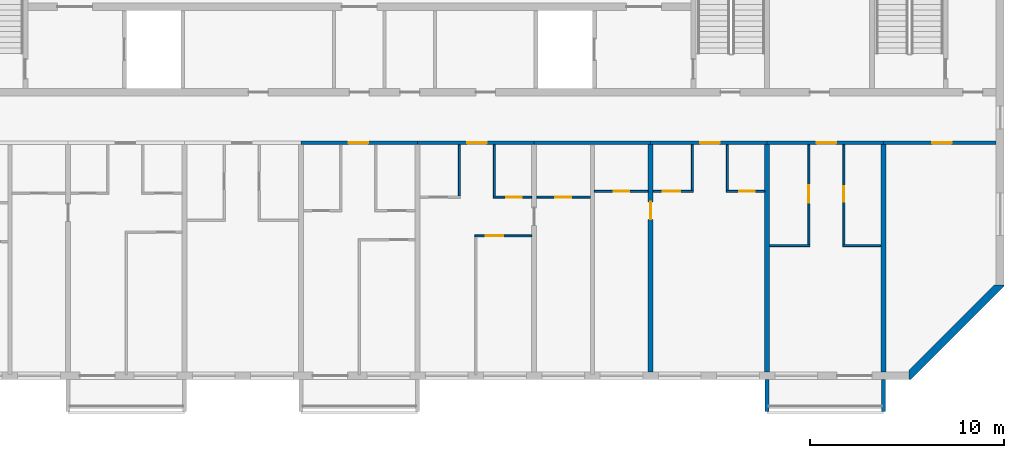
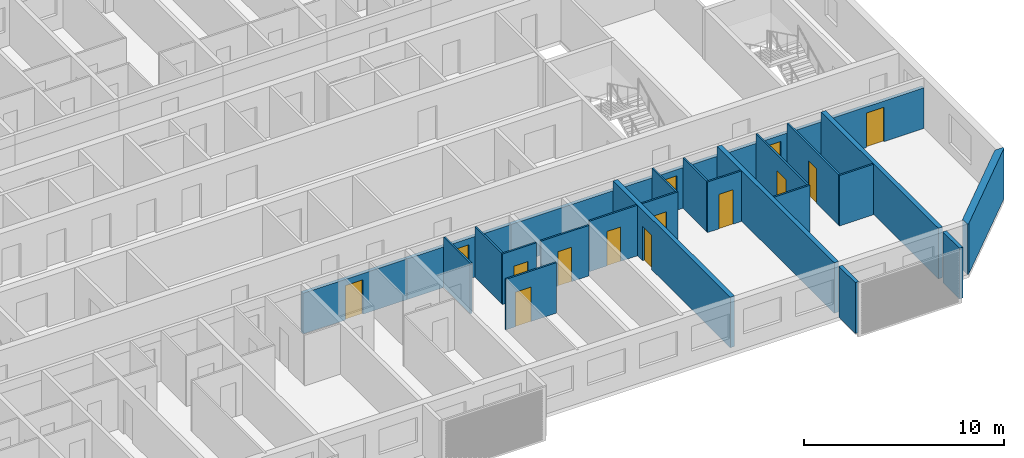
# One storey, part 5 of 27: 26 walls, 14 doors, 14 openings.
"""IFC4 building model written with IfcOpenShell, lengths in metres."""

from ifc_helpers import new_model, si_unit, direction, frame, frame_2d, origin, place, context, subcontext, project, spatial, polyline, rectangle, outline, extrude, source, transform, mapped, material, layer, layer_set, type_object, element, fill, save


model = new_model("IFC4")

# Units and contexts
model_context = context("Model", 3, precision=1e-05, world=origin(), true_north=direction((0.0, 1.0)))
body_context = subcontext(model_context, "Body", "Model", "MODEL_VIEW")
ifc_project = project(units=[si_unit("LENGTHUNIT", "METRE"), si_unit("AREAUNIT", "SQUARE_METRE"), si_unit("VOLUMEUNIT", "CUBIC_METRE"), si_unit("PLANEANGLEUNIT", "RADIAN"), si_unit("MASSUNIT", "GRAM", prefix="KILO")], contexts=[model_context])

# Site, building, storey
site_placement = place(None, origin())
site = spatial("IfcSite", under=ifc_project, at=site_placement, CompositionType="ELEMENT")
building_placement = place(site_placement, origin())
building = spatial("IfcBuilding", under=site, at=building_placement, Name="Poui Terraces", CompositionType="ELEMENT")
storey_placement = place(building_placement, frame((0.0, 0.0, 204.89990234375)))
storey = spatial("IfcBuildingStorey", under=building, at=storey_placement, Name="L57", CompositionType="ELEMENT", Elevation=204.89990234375)

# Wall, opening, door
ifc_material_1 = material(Name="Concrete 50 MPa", Category="concrete")
ifc_layer_1 = layer(ifc_material_1, 0.199951171875)
ifc_layer_set_1 = layer_set([ifc_layer_1], Name="Concrete 50 MPa")
wall_type_1 = type_object("IfcWallType", Name="CORRIDOR WALL 200 50MPa", PredefinedType="SHEAR", material=ifc_layer_set_1)
wall_1_placement = place(storey_placement, frame((48.0, 12.0, 0.0), z_axis=(0.0, 0.0, 1.0), x_axis=(1.0, 0.0, 0.0)))
wall_1 = element("IfcWall", 1, at=wall_1_placement, inside=storey, type_object=wall_type_1, Name="CORRIDOR WALL LINE B BAY 6", PredefinedType="SHEAR", context=body_context, shape_type="SweptSolid", body=[
    extrude(rectangle(XDim=6.0, YDim=0.199951171875, at=frame_2d((3.0, 0.0))), origin(), (0.0, 0.0, 1.0), 2.47998046875),
])
opening_1_placement = place(wall_1_placement, frame((2.449951171875, 0.0, 0.0)))
opening_1 = element("IfcOpeningElement", 2, at=opening_1_placement, cuts=wall_1, Name="Opening FD30S", PredefinedType="OPENING", context=body_context, shape_type="SweptSolid", body=[
    extrude(rectangle(XDim=1.0, YDim=2.10009765625, at=frame_2d((0.5, 1.050048828125))), frame((0.0, 0.10986328125, 0.0), z_axis=(0.0, -1.0, 0.0), x_axis=(1.0, 0.0, 0.0)), (0.0, 0.0, 1.0), 0.219970703125),
])
ifc_material_2 = material(Name="Steel fire door", Category="steel")
door_type_1 = type_object("IfcDoorType", Name="FLAT ENTRANCE DOOR 1000 X 2100", OperationType="NOTDEFINED", PredefinedType="DOOR", material=ifc_material_2)
door_1_placement = place(opening_1_placement, frame((1.0, 0.0, 0.0), z_axis=(0.0, 0.0, 1.0), x_axis=(-1.0, 0.0, 0.0)))
door_1 = element("IfcDoor", 3, at=door_1_placement, inside=storey, type_object=door_type_1, Name="FLAT ENTRANCE DOOR 084", OperationType="SINGLE_SWING_RIGHT", OverallHeight=2.10009765625, OverallWidth=1.0, PredefinedType="DOOR", context=body_context, shape_type="SweptSolid", body=[
    extrude(rectangle(XDim=1.0, YDim=2.10009765625, at=frame_2d((0.5, 1.050048828125))), frame((0.0, 0.02490234375, 0.0), z_axis=(0.0, -1.0, 0.0), x_axis=(1.0, 0.0, 0.0)), (0.0, 0.0, 1.0), 0.050048828125),
])
fill(opening_1, door_1)

wall_2_placement = place(storey_placement, frame((54.0, 12.0, 0.0), z_axis=(0.0, 0.0, 1.0), x_axis=(1.0, 0.0, 0.0)))
wall_2 = element("IfcWall", 4, at=wall_2_placement, inside=storey, type_object=wall_type_1, Name="CORRIDOR WALL LINE B BAY 7", PredefinedType="SHEAR", context=body_context, shape_type="SweptSolid", body=[
    extrude(rectangle(XDim=6.0, YDim=0.199951171875, at=frame_2d((3.0, 0.0))), origin(), (0.0, 0.0, 1.0), 2.47998046875),
])
opening_2_placement = place(wall_2_placement, frame((2.550048828125, 0.0, 0.0)))
opening_2 = element("IfcOpeningElement", 5, at=opening_2_placement, cuts=wall_2, Name="Opening FD30S", PredefinedType="OPENING", context=body_context, shape_type="SweptSolid", body=[
    extrude(rectangle(XDim=1.0, YDim=2.10009765625, at=frame_2d((0.5, 1.050048828125))), frame((0.0, 0.10986328125, 0.0), z_axis=(0.0, -1.0, 0.0), x_axis=(1.0, 0.0, 0.0)), (0.0, 0.0, 1.0), 0.219970703125),
])
door_2_placement = place(opening_2_placement, frame((1.0, 0.0, 0.0), z_axis=(0.0, 0.0, 1.0), x_axis=(-1.0, 0.0, 0.0)))
door_2 = element("IfcDoor", 6, at=door_2_placement, inside=storey, type_object=door_type_1, Name="FLAT ENTRANCE DOOR 089", OperationType="SINGLE_SWING_LEFT", OverallHeight=2.10009765625, OverallWidth=1.0, PredefinedType="DOOR", context=body_context, shape_type="SweptSolid", body=[
    extrude(rectangle(XDim=1.0, YDim=2.10009765625, at=frame_2d((0.5, 1.050048828125))), frame((0.0, 0.02490234375, 0.0), z_axis=(0.0, -1.0, 0.0), x_axis=(1.0, 0.0, 0.0)), (0.0, 0.0, 1.0), 0.050048828125),
])
fill(opening_2, door_2)

# Wall
wall_3_placement = place(storey_placement, frame((60.0, 12.0, 0.0), z_axis=(0.0, 0.0, 1.0), x_axis=(1.0, 0.0, 0.0)))
element("IfcWall", 7, at=wall_3_placement, inside=storey, type_object=wall_type_1, Name="CORRIDOR WALL LINE B BAY 8", PredefinedType="SHEAR", context=body_context, shape_type="SweptSolid", body=[
    extrude(rectangle(XDim=6.0, YDim=0.199951171875, at=frame_2d((3.0, 0.0))), origin(), (0.0, 0.0, 1.0), 2.47998046875),
])

# Wall, opening, door
wall_4_placement = place(storey_placement, frame((66.0, 12.0, 0.0), z_axis=(0.0, 0.0, 1.0), x_axis=(1.0, 0.0, 0.0)))
wall_4 = element("IfcWall", 8, at=wall_4_placement, inside=storey, type_object=wall_type_1, Name="CORRIDOR WALL LINE B BAY 9", PredefinedType="SHEAR", context=body_context, shape_type="SweptSolid", body=[
    extrude(rectangle(XDim=6.0, YDim=0.199951171875, at=frame_2d((3.0, 0.0))), origin(), (0.0, 0.0, 1.0), 2.47998046875),
])
opening_3_placement = place(wall_4_placement, frame((2.550048828125, 0.0, 0.0)))
opening_3 = element("IfcOpeningElement", 9, at=opening_3_placement, cuts=wall_4, Name="Opening FD30S", PredefinedType="OPENING", context=body_context, shape_type="SweptSolid", body=[
    extrude(rectangle(XDim=1.0, YDim=2.10009765625, at=frame_2d((0.5, 1.050048828125))), frame((0.0, 0.10986328125, 0.0), z_axis=(0.0, -1.0, 0.0), x_axis=(1.0, 0.0, 0.0)), (0.0, 0.0, 1.0), 0.219970703125),
])
door_3_placement = place(opening_3_placement, frame((1.0, 0.0, 0.0), z_axis=(0.0, 0.0, 1.0), x_axis=(-1.0, 0.0, 0.0)))
door_3 = element("IfcDoor", 10, at=door_3_placement, inside=storey, type_object=door_type_1, Name="FLAT ENTRANCE DOOR 096", OperationType="SINGLE_SWING_LEFT", OverallHeight=2.10009765625, OverallWidth=1.0, PredefinedType="DOOR", context=body_context, shape_type="SweptSolid", body=[
    extrude(rectangle(XDim=1.0, YDim=2.10009765625, at=frame_2d((0.5, 1.050048828125))), frame((0.0, 0.02490234375, 0.0), z_axis=(0.0, -1.0, 0.0), x_axis=(1.0, 0.0, 0.0)), (0.0, 0.0, 1.0), 0.050048828125),
])
fill(opening_3, door_3)

wall_5_placement = place(storey_placement, frame((72.0, 12.0, 0.0), z_axis=(0.0, 0.0, 1.0), x_axis=(1.0, 0.0, 0.0)))
wall_5 = element("IfcWall", 11, at=wall_5_placement, inside=storey, type_object=wall_type_1, Name="CORRIDOR WALL LINE B BAY 10", PredefinedType="SHEAR", context=body_context, shape_type="SweptSolid", body=[
    extrude(rectangle(XDim=6.0, YDim=0.199951171875, at=frame_2d((3.0, 0.0))), origin(), (0.0, 0.0, 1.0), 2.47998046875),
])
opening_4_placement = place(wall_5_placement, frame((2.550048828125, 0.0, 0.0)))
opening_4 = element("IfcOpeningElement", 12, at=opening_4_placement, cuts=wall_5, Name="Opening FD30S", PredefinedType="OPENING", context=body_context, shape_type="SweptSolid", body=[
    extrude(rectangle(XDim=1.0, YDim=2.10009765625, at=frame_2d((0.5, 1.050048828125))), frame((0.0, 0.10986328125, 0.0), z_axis=(0.0, -1.0, 0.0), x_axis=(1.0, 0.0, 0.0)), (0.0, 0.0, 1.0), 0.219970703125),
])
door_4_placement = place(opening_4_placement, frame((1.0, 0.0, 0.0), z_axis=(0.0, 0.0, 1.0), x_axis=(-1.0, 0.0, 0.0)))
door_4 = element("IfcDoor", 13, at=door_4_placement, inside=storey, type_object=door_type_1, Name="FLAT ENTRANCE DOOR 099", OperationType="SINGLE_SWING_LEFT", OverallHeight=2.10009765625, OverallWidth=1.0, PredefinedType="DOOR", context=body_context, shape_type="SweptSolid", body=[
    extrude(rectangle(XDim=1.0, YDim=2.10009765625, at=frame_2d((0.5, 1.050048828125))), frame((0.0, 0.02490234375, 0.0), z_axis=(0.0, -1.0, 0.0), x_axis=(1.0, 0.0, 0.0)), (0.0, 0.0, 1.0), 0.050048828125),
])
fill(opening_4, door_4)

wall_6_placement = place(storey_placement, frame((78.0, 12.0, 0.0), z_axis=(0.0, 0.0, 1.0), x_axis=(1.0, 0.0, 0.0)))
wall_6 = element("IfcWall", 14, at=wall_6_placement, inside=storey, type_object=wall_type_1, Name="CORRIDOR WALL LINE B BAY 11", PredefinedType="SHEAR", context=body_context, shape_type="SweptSolid", body=[
    extrude(rectangle(XDim=5.800048828125, YDim=0.199951171875, at=frame_2d((2.89990234375, 0.0))), origin(), (0.0, 0.0, 1.0), 2.47998046875),
])
opening_5_placement = place(wall_6_placement, frame((2.5, 0.0, 0.0)))
opening_5 = element("IfcOpeningElement", 15, at=opening_5_placement, cuts=wall_6, Name="Opening D100", PredefinedType="OPENING", context=body_context, shape_type="SweptSolid", body=[
    extrude(rectangle(XDim=1.0, YDim=2.10009765625, at=frame_2d((0.5, 1.050048828125))), frame((0.0, 0.10986328125, 0.0), z_axis=(0.0, -1.0, 0.0), x_axis=(1.0, 0.0, 0.0)), (0.0, 0.0, 1.0), 0.219970703125),
])
ifc_material_3 = material(Name="Solid core timber door", Category="wood")
door_type_2 = type_object("IfcDoorType", Name="ACCESSIBLE INTERNAL DOOR 1000 X 2100", OperationType="NOTDEFINED", PredefinedType="DOOR", material=ifc_material_3)
door_5_placement = place(opening_5_placement, frame((1.0, 0.0, 0.0), z_axis=(0.0, 0.0, 1.0), x_axis=(-1.0, 0.0, 0.0)))
door_5 = element("IfcDoor", 16, at=door_5_placement, inside=storey, type_object=door_type_2, Name="ACCESSIBLE INTERNAL DOOR 101", OperationType="SINGLE_SWING_RIGHT", OverallHeight=2.10009765625, OverallWidth=1.0, PredefinedType="DOOR", context=body_context, shape_type="SweptSolid", body=[
    extrude(rectangle(XDim=1.0, YDim=2.10009765625, at=frame_2d((0.5, 1.050048828125))), frame((0.0, 0.02490234375, 0.0), z_axis=(0.0, -1.0, 0.0), x_axis=(1.0, 0.0, 0.0)), (0.0, 0.0, 1.0), 0.050048828125),
])
fill(opening_5, door_5)

ifc_layer_2 = layer(ifc_material_1, 0.25)
ifc_layer_set_2 = layer_set([ifc_layer_2], Name="Concrete 50 MPa")
wall_type_2 = type_object("IfcWallType", Name="CROSS WALL 250 50MPa", PredefinedType="SHEAR", material=ifc_layer_set_2)
wall_7_placement = place(storey_placement, frame((66.0, 0.199951171875, 0.0), z_axis=(0.0, 0.0, 1.0), x_axis=(0.0, 1.0, 0.0)))
wall_7 = element("IfcWall", 17, at=wall_7_placement, inside=storey, type_object=wall_type_2, Name="CROSS WALL LINE 12 SOUTH", PredefinedType="SHEAR", context=body_context, shape_type="SweptSolid", body=[
    extrude(rectangle(XDim=11.699951171875, YDim=0.25, at=frame_2d((5.85009765625, 0.0))), origin(), (0.0, 0.0, 1.0), 3.080078125),
])
opening_6_placement = place(wall_7_placement, frame((7.85009765625, 0.0, 0.0)))
opening_6 = element("IfcOpeningElement", 18, at=opening_6_placement, cuts=wall_7, Name="Opening D90", PredefinedType="OPENING", context=body_context, shape_type="SweptSolid", body=[
    extrude(rectangle(XDim=0.89990234375, YDim=2.10009765625, at=frame_2d((0.449951171875, 1.050048828125))), frame((0.0, 0.135009765625, 0.0), z_axis=(0.0, -1.0, 0.0), x_axis=(1.0, 0.0, 0.0)), (0.0, 0.0, 1.0), 0.27001953125),
])
door_type_3 = type_object("IfcDoorType", Name="INTERNAL DOOR 900 X 2100", OperationType="NOTDEFINED", PredefinedType="DOOR", material=ifc_material_3)
door_6_placement = place(opening_6_placement, origin())
door_6 = element("IfcDoor", 19, at=door_6_placement, inside=storey, type_object=door_type_3, Name="INTERNAL DOOR 094", OperationType="SINGLE_SWING_RIGHT", OverallHeight=2.10009765625, OverallWidth=0.89990234375, PredefinedType="DOOR", context=body_context, shape_type="SweptSolid", body=[
    extrude(rectangle(XDim=0.89990234375, YDim=2.10009765625, at=frame_2d((0.449951171875, 1.050048828125))), frame((0.0, 0.02490234375, 0.0), z_axis=(0.0, -1.0, 0.0), x_axis=(1.0, 0.0, 0.0)), (0.0, 0.0, 1.0), 0.050048828125),
])
fill(opening_6, door_6)

# Walls
for number, where, z_axis, x_axis, name in (
    (20, (72.0, 0.199951171875, 0.0), (0.0, 0.0, 1.0), (0.0, 1.0, 0.0), "CROSS WALL LINE 13 SOUTH"),
    (21, (78.0, 0.199951171875, 0.0), (0.0, 0.0, 1.0), (0.0, 1.0, 0.0), "CROSS WALL LINE 14 SOUTH"),
):
    element("IfcWall", number, at=place(storey_placement, frame(where, z_axis=z_axis, x_axis=x_axis)), inside=storey, type_object=wall_type_2, Name=name, PredefinedType="SHEAR", context=body_context, shape_type="SweptSolid", body=[
        extrude(rectangle(XDim=11.699951171875, YDim=0.25, at=frame_2d((5.85009765625, 0.0))), origin(), (0.0, 0.0, 1.0), 3.080078125),
    ])
ifc_material_4 = material(Name="Plasterboard partition")
ifc_layer_3 = layer(ifc_material_4, 0.10009765625)
ifc_layer_set_3 = layer_set([ifc_layer_3], Name="Plasterboard partition")
wall_type_3 = type_object("IfcWallType", Name="FLAT PARTITION 100", PredefinedType="PARTITIONING", material=ifc_layer_set_3)
wall_8_placement = place(storey_placement, frame((72.135009765625, 6.699951171875, 0.0), z_axis=(0.0, 0.0, 1.0), x_axis=(1.0, 0.0, 0.0)))
element("IfcWall", 22, at=wall_8_placement, inside=storey, type_object=wall_type_3, Name="FLAT PARTITION 100", PredefinedType="PARTITIONING", context=body_context, shape_type="SweptSolid", body=[
    extrude(rectangle(XDim=2.06494140625, YDim=0.10009765625, at=frame_2d((1.032470703125, 0.0))), origin(), (0.0, 0.0, 1.0), 3.080078125),
])
wall_9_placement = place(storey_placement, frame((75.89990234375, 6.699951171875, 0.0), z_axis=(0.0, 0.0, 1.0), x_axis=(1.0, 0.0, 0.0)))
element("IfcWall", 23, at=wall_9_placement, inside=storey, type_object=wall_type_3, Name="FLAT PARTITION 100", PredefinedType="PARTITIONING", context=body_context, shape_type="SweptSolid", body=[
    extrude(rectangle(XDim=1.965087890625, YDim=0.10009765625, at=frame_2d((0.982421875, 0.0))), origin(), (0.0, 0.0, 1.0), 3.080078125),
])

# Wall, opening, door
wall_10_placement = place(storey_placement, frame((56.949951171875, 7.199951171875, 0.0), z_axis=(0.0, 0.0, 1.0), x_axis=(1.0, 0.0, 0.0)))
wall_10 = element("IfcWall", 24, at=wall_10_placement, inside=storey, type_object=wall_type_3, Name="FLAT PARTITION 100", PredefinedType="PARTITIONING", context=body_context, shape_type="SweptSolid", body=[
    extrude(rectangle(XDim=2.9150390625, YDim=0.10009765625, at=frame_2d((1.45751953125, 0.0))), origin(), (0.0, 0.0, 1.0), 3.080078125),
])
opening_7_placement = place(wall_10_placement, frame((0.550048828125, 0.0, 0.0)))
opening_7 = element("IfcOpeningElement", 25, at=opening_7_placement, cuts=wall_10, Name="Opening D90", PredefinedType="OPENING", context=body_context, shape_type="SweptSolid", body=[
    extrude(rectangle(XDim=0.89990234375, YDim=2.10009765625, at=frame_2d((0.449951171875, 1.050048828125))), frame((0.0, 0.06005859375, 0.0), z_axis=(0.0, -1.0, 0.0), x_axis=(1.0, 0.0, 0.0)), (0.0, 0.0, 1.0), 0.1201171875),
])
door_7_placement = place(opening_7_placement, origin())
door_7 = element("IfcDoor", 26, at=door_7_placement, inside=storey, type_object=door_type_3, Name="INTERNAL DOOR 090", OperationType="SINGLE_SWING_RIGHT", OverallHeight=2.10009765625, OverallWidth=0.89990234375, PredefinedType="DOOR", context=body_context, shape_type="SweptSolid", body=[
    extrude(rectangle(XDim=0.89990234375, YDim=2.10009765625, at=frame_2d((0.449951171875, 1.050048828125))), frame((0.0, 0.02490234375, 0.0), z_axis=(0.0, -1.0, 0.0), x_axis=(1.0, 0.0, 0.0)), (0.0, 0.0, 1.0), 0.050048828125),
])
fill(opening_7, door_7)

wall_11_placement = place(storey_placement, frame((57.89990234375, 9.199951171875, 0.0), z_axis=(0.0, 0.0, 1.0), x_axis=(1.0, 0.0, 0.0)))
wall_11 = element("IfcWall", 27, at=wall_11_placement, inside=storey, type_object=wall_type_3, Name="FLAT PARTITION 100", PredefinedType="PARTITIONING", context=body_context, shape_type="SweptSolid", body=[
    extrude(rectangle(XDim=1.965087890625, YDim=0.10009765625, at=frame_2d((0.982421875, 0.0))), origin(), (0.0, 0.0, 1.0), 3.080078125),
])
opening_8_placement = place(wall_11_placement, frame((0.675048828125, 0.0, 0.0)))
opening_8 = element("IfcOpeningElement", 28, at=opening_8_placement, cuts=wall_11, Name="Opening D80", PredefinedType="OPENING", context=body_context, shape_type="SweptSolid", body=[
    extrude(rectangle(XDim=0.800048828125, YDim=2.10009765625, at=frame_2d((0.39990234375, 1.050048828125))), frame((0.0, 0.06005859375, 0.0), z_axis=(0.0, -1.0, 0.0), x_axis=(1.0, 0.0, 0.0)), (0.0, 0.0, 1.0), 0.1201171875),
])
door_type_4 = type_object("IfcDoorType", Name="BATHROOM, LAUNDRY AND STORE DOOR 800 X 2100", OperationType="NOTDEFINED", PredefinedType="DOOR", material=ifc_material_3)
door_8_placement = place(opening_8_placement, origin())
door_8 = element("IfcDoor", 29, at=door_8_placement, inside=storey, type_object=door_type_4, Name="BATHROOM, LAUNDRY AND STORE DOOR 091", OperationType="SINGLE_SWING_LEFT", OverallHeight=2.10009765625, OverallWidth=0.800048828125, PredefinedType="DOOR", context=body_context, shape_type="SweptSolid", body=[
    extrude(rectangle(XDim=0.800048828125, YDim=2.10009765625, at=frame_2d((0.39990234375, 1.050048828125))), frame((0.0, 0.02490234375, 0.0), z_axis=(0.0, -1.0, 0.0), x_axis=(1.0, 0.0, 0.0)), (0.0, 0.0, 1.0), 0.050048828125),
])
fill(opening_8, door_8)

wall_12_placement = place(storey_placement, frame((60.135009765625, 9.199951171875, 0.0), z_axis=(0.0, 0.0, 1.0), x_axis=(1.0, 0.0, 0.0)))
wall_12 = element("IfcWall", 30, at=wall_12_placement, inside=storey, type_object=wall_type_3, Name="FLAT PARTITION 100", PredefinedType="PARTITIONING", context=body_context, shape_type="SweptSolid", body=[
    extrude(rectangle(XDim=2.764892578125, YDim=0.10009765625, at=frame_2d((1.38232421875, 0.0))), origin(), (0.0, 0.0, 1.0), 3.080078125),
])
opening_9_placement = place(wall_12_placement, frame((0.965087890625, 0.0, 0.0)))
opening_9 = element("IfcOpeningElement", 31, at=opening_9_placement, cuts=wall_12, Name="Opening D80", PredefinedType="OPENING", context=body_context, shape_type="SweptSolid", body=[
    extrude(rectangle(XDim=0.800048828125, YDim=2.10009765625, at=frame_2d((0.39990234375, 1.050048828125))), frame((0.0, 0.06005859375, 0.0), z_axis=(0.0, -1.0, 0.0), x_axis=(1.0, 0.0, 0.0)), (0.0, 0.0, 1.0), 0.1201171875),
])
door_9_placement = place(opening_9_placement, origin())
door_9 = element("IfcDoor", 32, at=door_9_placement, inside=storey, type_object=door_type_4, Name="BATHROOM, LAUNDRY AND STORE DOOR 087", OperationType="SINGLE_SWING_RIGHT", OverallHeight=2.10009765625, OverallWidth=0.800048828125, PredefinedType="DOOR", context=body_context, shape_type="SweptSolid", body=[
    extrude(rectangle(XDim=0.800048828125, YDim=2.10009765625, at=frame_2d((0.39990234375, 1.050048828125))), frame((0.0, 0.02490234375, 0.0), z_axis=(0.0, -1.0, 0.0), x_axis=(1.0, 0.0, 0.0)), (0.0, 0.0, 1.0), 0.050048828125),
])
fill(opening_9, door_9)

wall_13_placement = place(storey_placement, frame((63.10009765625, 9.5, 0.0), z_axis=(0.0, 0.0, 1.0), x_axis=(1.0, 0.0, 0.0)))
wall_13 = element("IfcWall", 33, at=wall_13_placement, inside=storey, type_object=wall_type_3, Name="FLAT PARTITION 100", PredefinedType="PARTITIONING", context=body_context, shape_type="SweptSolid", body=[
    extrude(rectangle(XDim=2.764892578125, YDim=0.10009765625, at=frame_2d((1.38232421875, 0.0))), origin(), (0.0, 0.0, 1.0), 3.080078125),
])
opening_10_placement = place(wall_13_placement, frame((1.0, 0.0, 0.0)))
opening_10 = element("IfcOpeningElement", 34, at=opening_10_placement, cuts=wall_13, Name="Opening D80", PredefinedType="OPENING", context=body_context, shape_type="SweptSolid", body=[
    extrude(rectangle(XDim=0.800048828125, YDim=2.10009765625, at=frame_2d((0.39990234375, 1.050048828125))), frame((0.0, 0.06005859375, 0.0), z_axis=(0.0, -1.0, 0.0), x_axis=(1.0, 0.0, 0.0)), (0.0, 0.0, 1.0), 0.1201171875),
])
door_10_placement = place(opening_10_placement, origin())
door_10 = element("IfcDoor", 35, at=door_10_placement, inside=storey, type_object=door_type_4, Name="BATHROOM, LAUNDRY AND STORE DOOR 093", OperationType="SINGLE_SWING_LEFT", OverallHeight=2.10009765625, OverallWidth=0.800048828125, PredefinedType="DOOR", context=body_context, shape_type="SweptSolid", body=[
    extrude(rectangle(XDim=0.800048828125, YDim=2.10009765625, at=frame_2d((0.39990234375, 1.050048828125))), frame((0.0, 0.02490234375, 0.0), z_axis=(0.0, -1.0, 0.0), x_axis=(1.0, 0.0, 0.0)), (0.0, 0.0, 1.0), 0.050048828125),
])
fill(opening_10, door_10)

wall_14_placement = place(storey_placement, frame((66.135009765625, 9.5, 0.0), z_axis=(0.0, 0.0, 1.0), x_axis=(1.0, 0.0, 0.0)))
wall_14 = element("IfcWall", 36, at=wall_14_placement, inside=storey, type_object=wall_type_3, Name="FLAT PARTITION 100", PredefinedType="PARTITIONING", context=body_context, shape_type="SweptSolid", body=[
    extrude(rectangle(XDim=2.06494140625, YDim=0.10009765625, at=frame_2d((1.032470703125, 0.0))), origin(), (0.0, 0.0, 1.0), 3.080078125),
])
opening_11_placement = place(wall_14_placement, frame((0.489990234375, 0.0, 0.0)))
opening_11 = element("IfcOpeningElement", 37, at=opening_11_placement, cuts=wall_14, Name="Opening D90", PredefinedType="OPENING", context=body_context, shape_type="SweptSolid", body=[
    extrude(rectangle(XDim=0.89990234375, YDim=2.10009765625, at=frame_2d((0.449951171875, 1.050048828125))), frame((0.0, 0.06005859375, 0.0), z_axis=(0.0, -1.0, 0.0), x_axis=(1.0, 0.0, 0.0)), (0.0, 0.0, 1.0), 0.1201171875),
])
door_11_placement = place(opening_11_placement, origin())
door_11 = element("IfcDoor", 38, at=door_11_placement, inside=storey, type_object=door_type_3, Name="INTERNAL DOOR 095", OperationType="SINGLE_SWING_RIGHT", OverallHeight=2.10009765625, OverallWidth=0.89990234375, PredefinedType="DOOR", context=body_context, shape_type="SweptSolid", body=[
    extrude(rectangle(XDim=0.89990234375, YDim=2.10009765625, at=frame_2d((0.449951171875, 1.050048828125))), frame((0.0, 0.02490234375, 0.0), z_axis=(0.0, -1.0, 0.0), x_axis=(1.0, 0.0, 0.0)), (0.0, 0.0, 1.0), 0.050048828125),
])
fill(opening_11, door_11)

wall_15_placement = place(storey_placement, frame((69.89990234375, 9.5, 0.0), z_axis=(0.0, 0.0, 1.0), x_axis=(1.0, 0.0, 0.0)))
wall_15 = element("IfcWall", 39, at=wall_15_placement, inside=storey, type_object=wall_type_3, Name="FLAT PARTITION 100", PredefinedType="PARTITIONING", context=body_context, shape_type="SweptSolid", body=[
    extrude(rectangle(XDim=1.965087890625, YDim=0.10009765625, at=frame_2d((0.982421875, 0.0))), origin(), (0.0, 0.0, 1.0), 3.080078125),
])
opening_12_placement = place(wall_15_placement, frame((0.675048828125, 0.0, 0.0)))
opening_12 = element("IfcOpeningElement", 40, at=opening_12_placement, cuts=wall_15, Name="Opening D80", PredefinedType="OPENING", context=body_context, shape_type="SweptSolid", body=[
    extrude(rectangle(XDim=0.800048828125, YDim=2.10009765625, at=frame_2d((0.39990234375, 1.050048828125))), frame((0.0, 0.06005859375, 0.0), z_axis=(0.0, -1.0, 0.0), x_axis=(1.0, 0.0, 0.0)), (0.0, 0.0, 1.0), 0.1201171875),
])
door_12_placement = place(opening_12_placement, origin())
door_12 = element("IfcDoor", 41, at=door_12_placement, inside=storey, type_object=door_type_4, Name="BATHROOM, LAUNDRY AND STORE DOOR 097", OperationType="SINGLE_SWING_LEFT", OverallHeight=2.10009765625, OverallWidth=0.800048828125, PredefinedType="DOOR", context=body_context, shape_type="SweptSolid", body=[
    extrude(rectangle(XDim=0.800048828125, YDim=2.10009765625, at=frame_2d((0.39990234375, 1.050048828125))), frame((0.0, 0.02490234375, 0.0), z_axis=(0.0, -1.0, 0.0), x_axis=(1.0, 0.0, 0.0)), (0.0, 0.0, 1.0), 0.050048828125),
])
fill(opening_12, door_12)

# Walls
for number, where, z_axis, x_axis, name in (
    (42, (56.14990234375, 9.25, 0.0), (0.0, 0.0, 1.0), (0.0, 1.0, 0.0), "FLAT PARTITION 100"),
    (43, (57.949951171875, 9.25, 0.0), (0.0, 0.0, 1.0), (0.0, 1.0, 0.0), "FLAT PARTITION 100"),
):
    element("IfcWall", number, at=place(storey_placement, frame(where, z_axis=z_axis, x_axis=x_axis)), inside=storey, type_object=wall_type_3, Name=name, PredefinedType="PARTITIONING", context=body_context, shape_type="SweptSolid", body=[
        extrude(rectangle(XDim=2.639892578125, YDim=0.10009765625, at=frame_2d((1.31982421875, 0.0))), origin(), (0.0, 0.0, 1.0), 3.080078125),
    ])
for number, where, z_axis, x_axis, name in (
    (44, (68.14990234375, 9.550048828125, 0.0), (0.0, 0.0, 1.0), (0.0, 1.0, 0.0), "FLAT PARTITION 100"),
    (45, (69.949951171875, 9.550048828125, 0.0), (0.0, 0.0, 1.0), (0.0, 1.0, 0.0), "FLAT PARTITION 100"),
):
    element("IfcWall", number, at=place(storey_placement, frame(where, z_axis=z_axis, x_axis=x_axis)), inside=storey, type_object=wall_type_3, Name=name, PredefinedType="PARTITIONING", context=body_context, shape_type="SweptSolid", body=[
        extrude(rectangle(XDim=2.33984375, YDim=0.10009765625, at=frame_2d((1.169921875, 0.0))), origin(), (0.0, 0.0, 1.0), 3.080078125),
    ])

# Wall, opening, door
wall_16_placement = place(storey_placement, frame((74.14990234375, 6.75, 0.0), z_axis=(0.0, 0.0, 1.0), x_axis=(0.0, 1.0, 0.0)))
wall_16 = element("IfcWall", 46, at=wall_16_placement, inside=storey, type_object=wall_type_3, Name="FLAT PARTITION 100", PredefinedType="PARTITIONING", context=body_context, shape_type="SweptSolid", body=[
    extrude(rectangle(XDim=5.139892578125, YDim=0.10009765625, at=frame_2d((2.56982421875, 0.0))), origin(), (0.0, 0.0, 1.0), 3.080078125),
])
opening_13_placement = place(wall_16_placement, frame((2.14990234375, 0.0, 0.0)))
opening_13 = element("IfcOpeningElement", 47, at=opening_13_placement, cuts=wall_16, Name="Opening D90", PredefinedType="OPENING", context=body_context, shape_type="SweptSolid", body=[
    extrude(rectangle(XDim=0.89990234375, YDim=2.10009765625, at=frame_2d((0.449951171875, 1.050048828125))), frame((0.0, 0.06005859375, 0.0), z_axis=(0.0, -1.0, 0.0), x_axis=(1.0, 0.0, 0.0)), (0.0, 0.0, 1.0), 0.1201171875),
])
door_13_placement = place(opening_13_placement, origin())
door_13 = element("IfcDoor", 48, at=door_13_placement, inside=storey, type_object=door_type_3, Name="INTERNAL DOOR 098", OperationType="SINGLE_SWING_LEFT", OverallHeight=2.10009765625, OverallWidth=0.89990234375, PredefinedType="DOOR", context=body_context, shape_type="SweptSolid", body=[
    extrude(rectangle(XDim=0.89990234375, YDim=2.10009765625, at=frame_2d((0.449951171875, 1.050048828125))), frame((0.0, 0.02490234375, 0.0), z_axis=(0.0, -1.0, 0.0), x_axis=(1.0, 0.0, 0.0)), (0.0, 0.0, 1.0), 0.050048828125),
])
fill(opening_13, door_13)

wall_17_placement = place(storey_placement, frame((75.949951171875, 6.75, 0.0), z_axis=(0.0, 0.0, 1.0), x_axis=(0.0, 1.0, 0.0)))
wall_17 = element("IfcWall", 49, at=wall_17_placement, inside=storey, type_object=wall_type_3, Name="FLAT PARTITION 100", PredefinedType="PARTITIONING", context=body_context, shape_type="SweptSolid", body=[
    extrude(rectangle(XDim=5.139892578125, YDim=0.10009765625, at=frame_2d((2.56982421875, 0.0))), origin(), (0.0, 0.0, 1.0), 3.080078125),
])
opening_14_placement = place(wall_17_placement, frame((2.199951171875, 0.0, 0.0)))
opening_14 = element("IfcOpeningElement", 50, at=opening_14_placement, cuts=wall_17, Name="Opening D80", PredefinedType="OPENING", context=body_context, shape_type="SweptSolid", body=[
    extrude(rectangle(XDim=0.800048828125, YDim=2.10009765625, at=frame_2d((0.39990234375, 1.050048828125))), frame((0.0, 0.06005859375, 0.0), z_axis=(0.0, -1.0, 0.0), x_axis=(1.0, 0.0, 0.0)), (0.0, 0.0, 1.0), 0.1201171875),
])
door_14_placement = place(opening_14_placement, frame((0.800048828125, 0.0, 0.0), z_axis=(0.0, 0.0, 1.0), x_axis=(-1.0, 0.0, 0.0)))
door_14 = element("IfcDoor", 51, at=door_14_placement, inside=storey, type_object=door_type_4, Name="BATHROOM, LAUNDRY AND STORE DOOR 100", OperationType="SINGLE_SWING_LEFT", OverallHeight=2.10009765625, OverallWidth=0.800048828125, PredefinedType="DOOR", context=body_context, shape_type="SweptSolid", body=[
    extrude(rectangle(XDim=0.800048828125, YDim=2.10009765625, at=frame_2d((0.39990234375, 1.050048828125))), frame((0.0, 0.02490234375, 0.0), z_axis=(0.0, -1.0, 0.0), x_axis=(1.0, 0.0, 0.0)), (0.0, 0.0, 1.0), 0.050048828125),
])
fill(opening_14, door_14)

# Walls
ifc_material_5 = material(Name="Precast concrete 40 MPa", Category="concrete")
ifc_layer_4 = layer(ifc_material_5, 0.39990234375)
ifc_layer_set_4 = layer_set([ifc_layer_4], Name="Precast concrete 40 MPa")
wall_type_4 = type_object("IfcWallType", Name="TERRACOTTA CLAD CHAMFER WALL 400", PredefinedType="STANDARD", material=ifc_layer_set_4)
wall_18_placement = place(storey_placement, origin())
element("IfcWall", 52, at=wall_18_placement, inside=storey, type_object=wall_type_4, Name="CHAMFER WALL CH01", PredefinedType="STANDARD", context=body_context, shape_type="SweptSolid", body=[
    extrude(outline(polyline([(79.317138671875, -0.199951171875), (79.39990234375, -0.199951171875), (84.199951171875, 4.60009765625), (84.199951171875, 4.682861328125), (83.71728515625, 4.682861328125), (79.317138671875, 0.28271484375), (79.317138671875, -0.199951171875)])), origin(), (0.0, 0.0, 1.0), 3.080078125),
])
ifc_layer_5 = layer(ifc_material_5, 0.199951171875)
ifc_layer_set_5 = layer_set([ifc_layer_5], Name="Precast concrete 40 MPa")
wall_type_5 = type_object("IfcWallType", Name="REAR FIN 200", PredefinedType="STANDARD", material=ifc_layer_set_5)
shared_shape = source(origin(), body_context, "Body", "SweptSolid", [
    extrude(outline(polyline([(0.0, 0.0), (0.2001953125, 0.0), (0.2001953125, 1.650146484375), (0.0, 1.650146484375), (0.0, 0.0)])), origin(), (0.0, 0.0, 1.0), 3.10009765625),
])
for number, where, name in (
    (53, (71.89990234375, -1.85009765625, 0.0), "REAR FIN"),
    (54, (77.89990234375, -1.85009765625, 0.0), "REAR FIN"),
):
    element("IfcWall", number, at=place(storey_placement, frame(where)), inside=storey, type_object=wall_type_5, Name=name, PredefinedType="STANDARD", context=body_context, shape_type="MappedRepresentation", body=[
        mapped(shared_shape, transform((0.0, 0.0, 0.0))),
    ])

save(model, "model.ifc")
